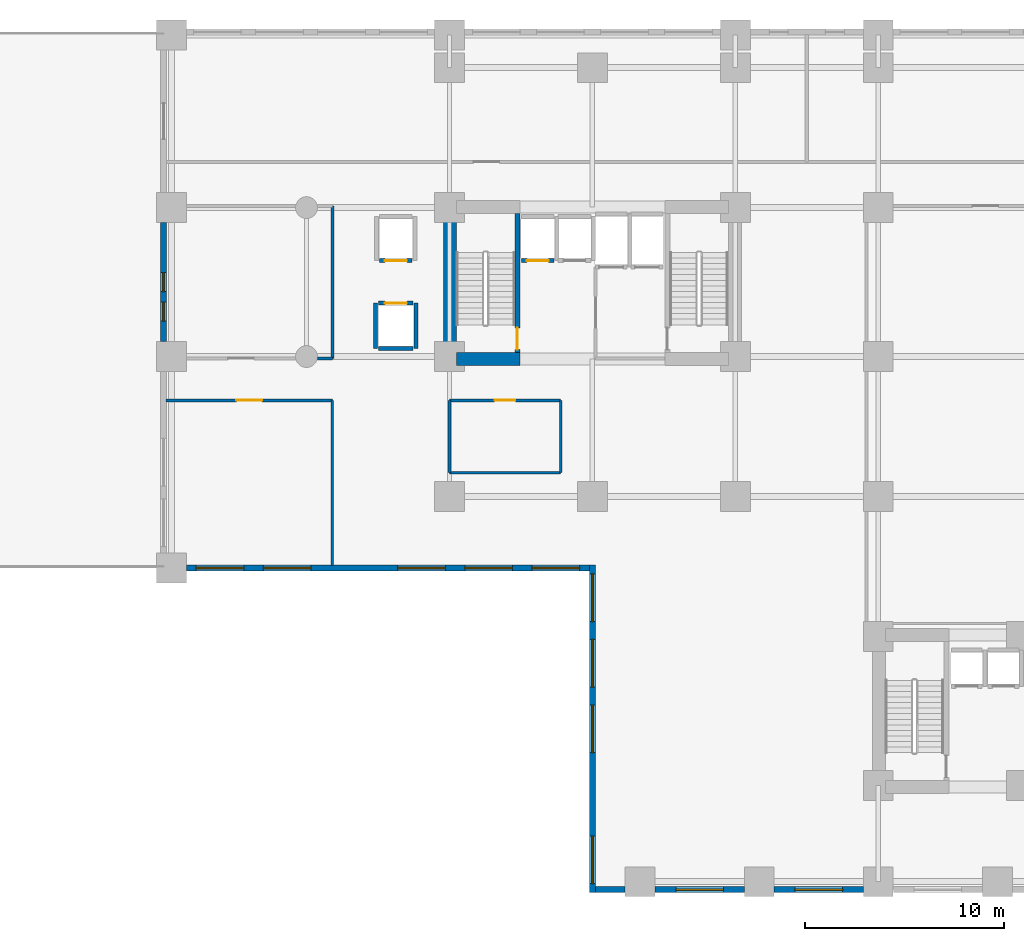
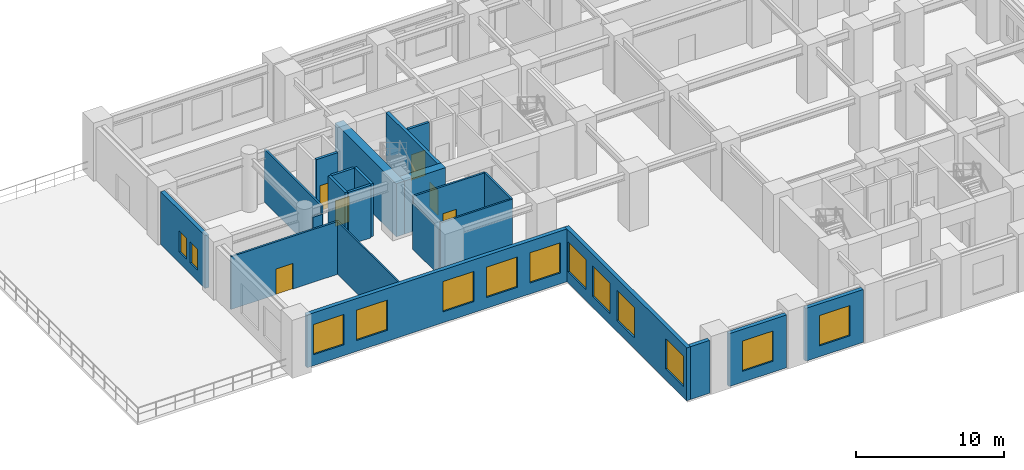
# One storey, part 3 of 10: 23 walls, 13 windows, 6 doors, 19 openings.
"""IFC4 building model written with IfcOpenShell, lengths in metres."""

from ifc_helpers import new_model, si_unit, direction, frame, frame_2d, origin, place, context, subcontext, project, spatial, rectangle, extrude, material, layer, layer_set, type_object, element, fill, save


model = new_model("IFC4")

# Units and contexts
model_context = context("Model", 3, precision=1e-05, world=origin(), true_north=direction((0.0, 1.0)))
body_context = subcontext(model_context, "Body", "Model", "MODEL_VIEW")
ifc_project = project(units=[si_unit("LENGTHUNIT", "METRE"), si_unit("AREAUNIT", "SQUARE_METRE"), si_unit("VOLUMEUNIT", "CUBIC_METRE"), si_unit("PLANEANGLEUNIT", "RADIAN"), si_unit("MASSUNIT", "GRAM", prefix="KILO")], contexts=[model_context])

# Site, building, storey
site_placement = place(None, origin())
site = spatial("IfcSite", under=ifc_project, at=site_placement, CompositionType="ELEMENT")
building_placement = place(site_placement, origin())
building = spatial("IfcBuilding", under=site, at=building_placement, Name="Kaliganga Portal Commons", CompositionType="ELEMENT")
storey_placement = place(building_placement, frame((0.0, 0.0, 15.0)))
storey = spatial("IfcBuildingStorey", under=building, at=storey_placement, Name="L03", CompositionType="ELEMENT", Elevation=15.0)

# Walls
ifc_material_1 = material(Name="Concrete C70/85", Category="concrete")
ifc_layer_1 = layer(ifc_material_1, 0.64990234375)
ifc_layer_set_1 = layer_set([ifc_layer_1], Name="Concrete C70/85")
wall_type_1 = type_object("IfcWallType", Name="WL-CORE-650", PredefinedType="SHEAR", material=ifc_layer_set_1)
wall_1_placement = place(storey_placement, frame((14.425048828125, 28.199951171875, 0.0), z_axis=(0.0, 0.0, 1.0), x_axis=(0.0, 1.0, 0.0)))
element("IfcWall", 1, at=wall_1_placement, inside=storey, type_object=wall_type_1, Name="Core A West Shear Wall L03", PredefinedType="SHEAR", context=body_context, shape_type="SweptSolid", body=[
    extrude(rectangle(XDim=8.300048828125, YDim=0.64990234375, at=frame_2d((4.14990234375, 0.0))), origin(), (0.0, 0.0, 1.0), 4.3798828125),
])
wall_2_placement = place(storey_placement, frame((14.75, 28.52490234375, 0.0), z_axis=(0.0, 0.0, 1.0), x_axis=(1.0, 0.0, 0.0)))
element("IfcWall", 2, at=wall_2_placement, inside=storey, type_object=wall_type_1, Name="Core A S-West Shear Wall L03", PredefinedType="SHEAR", context=body_context, shape_type="SweptSolid", body=[
    extrude(rectangle(XDim=3.199951171875, YDim=0.64990234375, at=frame_2d((1.60009765625, 0.0))), origin(), (0.0, 0.0, 1.0), 4.3798828125),
])
ifc_material_2 = material(Name="Precast concrete C40/50", Category="concrete")
ifc_layer_2 = layer(ifc_material_2, 0.300048828125)
ifc_layer_set_2 = layer_set([ifc_layer_2], Name="Precast concrete C40/50")
wall_type_2 = type_object("IfcWallType", Name="WL-EXT-POD-300", PredefinedType="STANDARD", material=ifc_layer_set_2)
wall_3_placement = place(storey_placement, frame((23.2490234375, 1.800048828125, 0.0), z_axis=(0.0, 0.0, 1.0), x_axis=(-1.0, 0.0, 0.0)))
element("IfcWall", 3, at=wall_3_placement, inside=storey, type_object=wall_type_2, Name="Exterior Envelope Wall L03 P1-E00-S1", PredefinedType="STANDARD", context=body_context, shape_type="SweptSolid", body=[
    extrude(rectangle(XDim=1.494140625, YDim=0.300048828125, at=frame_2d((0.7470703125, 0.0))), origin(), (0.0, 0.0, 1.0), 4.360107421875),
])

# Wall, opening, window
wall_4_placement = place(storey_placement, frame((29.2490234375, 1.800048828125, 0.0), z_axis=(0.0, 0.0, 1.0), x_axis=(-1.0, 0.0, 0.0)))
wall_4 = element("IfcWall", 4, at=wall_4_placement, inside=storey, type_object=wall_type_2, Name="Exterior Envelope Wall L03 P1-E00-S2", PredefinedType="STANDARD", context=body_context, shape_type="SweptSolid", body=[
    extrude(rectangle(XDim=4.498046875, YDim=0.300048828125, at=frame_2d((2.2490234375, 0.0))), origin(), (0.0, 0.0, 1.0), 4.360107421875),
])
opening_1_placement = place(wall_4_placement, frame((1.049072265625, 0.0, 0.89990234375)))
opening_1 = element("IfcOpeningElement", 5, at=opening_1_placement, cuts=wall_4, Name="Opening W-05", PredefinedType="OPENING", context=body_context, shape_type="SweptSolid", body=[
    extrude(rectangle(XDim=2.39990234375, YDim=2.5, at=frame_2d((1.199951171875, 1.25))), frame((0.0, 0.16015625, 0.0), z_axis=(0.0, -1.0, 0.0), x_axis=(1.0, 0.0, 0.0)), (0.0, 0.0, 1.0), 0.320068359375),
])
ifc_material_3 = material(Name="Thermally Broken Aluminium and Low-E Double Glazing", Category="aluminium")
window_type_1 = type_object("IfcWindowType", Name="WIN-POD-2400", PartitioningType="TRIPLE_PANEL_VERTICAL", PredefinedType="WINDOW", material=ifc_material_3)
window_1_placement = place(opening_1_placement, origin())
window_1 = element("IfcWindow", 6, at=window_1_placement, inside=storey, type_object=window_type_1, Name="Facade Window L03-P1E00S2-00", OverallHeight=2.5, OverallWidth=2.39990234375, PartitioningType="SINGLE_PANEL", PredefinedType="WINDOW", context=body_context, shape_type="SweptSolid", body=[
    extrude(rectangle(XDim=2.39990234375, YDim=2.5, at=frame_2d((1.199951171875, 1.25))), frame((0.0, 0.030029296875, 0.0), z_axis=(0.0, -1.0, 0.0), x_axis=(1.0, 0.0, 0.0)), (0.0, 0.0, 1.0), 0.06005859375),
])
fill(opening_1, window_1)

wall_5_placement = place(storey_placement, frame((35.2490234375, 1.800048828125, 0.0), z_axis=(0.0, 0.0, 1.0), x_axis=(-1.0, 0.0, 0.0)))
wall_5 = element("IfcWall", 7, at=wall_5_placement, inside=storey, type_object=wall_type_2, Name="Exterior Envelope Wall L03 P1-E00-S3", PredefinedType="STANDARD", context=body_context, shape_type="SweptSolid", body=[
    extrude(rectangle(XDim=4.498046875, YDim=0.300048828125, at=frame_2d((2.2490234375, 0.0))), origin(), (0.0, 0.0, 1.0), 4.360107421875),
])
opening_2_placement = place(wall_5_placement, frame((1.049072265625, 0.0, 0.89990234375)))
opening_2 = element("IfcOpeningElement", 8, at=opening_2_placement, cuts=wall_5, Name="Opening W-05", PredefinedType="OPENING", context=body_context, shape_type="SweptSolid", body=[
    extrude(rectangle(XDim=2.39990234375, YDim=2.5, at=frame_2d((1.199951171875, 1.25))), frame((0.0, 0.16015625, 0.0), z_axis=(0.0, -1.0, 0.0), x_axis=(1.0, 0.0, 0.0)), (0.0, 0.0, 1.0), 0.320068359375),
])
window_2_placement = place(opening_2_placement, origin())
window_2 = element("IfcWindow", 9, at=window_2_placement, inside=storey, type_object=window_type_1, Name="Facade Window L03-P1E00S3-00", OverallHeight=2.5, OverallWidth=2.39990234375, PartitioningType="SINGLE_PANEL", PredefinedType="WINDOW", context=body_context, shape_type="SweptSolid", body=[
    extrude(rectangle(XDim=2.39990234375, YDim=2.5, at=frame_2d((1.199951171875, 1.25))), frame((0.0, 0.030029296875, 0.0), z_axis=(0.0, -1.0, 0.0), x_axis=(1.0, 0.0, 0.0)), (0.0, 0.0, 1.0), 0.06005859375),
])
fill(opening_2, window_2)

# Wall, openings, windows
wall_6_placement = place(storey_placement, frame((0.0, 29.40087890625, 0.0), z_axis=(0.0, 0.0, 1.0), x_axis=(0.0, 1.0, 0.0)))
wall_6 = element("IfcWall", 10, at=wall_6_placement, inside=storey, type_object=wall_type_2, Name="Exterior Envelope Wall L03 P1-E03-S2", PredefinedType="STANDARD", context=body_context, shape_type="SweptSolid", body=[
    extrude(rectangle(XDim=5.998046875, YDim=0.300048828125, at=frame_2d((2.9990234375, 0.0))), origin(), (0.0, 0.0, 1.0), 4.360107421875),
])
opening_3_placement = place(wall_6_placement, frame((2.52392578125, 0.0, 0.89990234375)))
opening_3 = element("IfcOpeningElement", 11, at=opening_3_placement, cuts=wall_6, Name="Opening W-04", PredefinedType="OPENING", context=body_context, shape_type="SweptSolid", body=[
    extrude(rectangle(XDim=0.949951171875, YDim=1.75, at=frame_2d((0.47509765625, 0.875))), frame((0.0, 0.16015625, 0.0), z_axis=(0.0, -1.0, 0.0), x_axis=(1.0, 0.0, 0.0)), (0.0, 0.0, 1.0), 0.320068359375),
])
opening_4_placement = place(wall_6_placement, frame((1.03662109375, 0.0, 0.89990234375)))
opening_4 = element("IfcOpeningElement", 12, at=opening_4_placement, cuts=wall_6, Name="Opening W-04", PredefinedType="OPENING", context=body_context, shape_type="SweptSolid", body=[
    extrude(rectangle(XDim=0.949951171875, YDim=1.75, at=frame_2d((0.47509765625, 0.875))), frame((0.0, 0.16015625, 0.0), z_axis=(0.0, -1.0, 0.0), x_axis=(1.0, 0.0, 0.0)), (0.0, 0.0, 1.0), 0.320068359375),
])
window_type_2 = type_object("IfcWindowType", Name="WIN-NARROW-950", PartitioningType="SINGLE_PANEL", PredefinedType="WINDOW", material=ifc_material_3)
window_3_placement = place(opening_3_placement, origin())
window_3 = element("IfcWindow", 13, at=window_3_placement, inside=storey, type_object=window_type_2, Name="Facade Window L03-P1E03S2-N0", OverallHeight=1.75, OverallWidth=0.949951171875, PartitioningType="SINGLE_PANEL", PredefinedType="WINDOW", context=body_context, shape_type="SweptSolid", body=[
    extrude(rectangle(XDim=0.949951171875, YDim=1.75, at=frame_2d((0.47509765625, 0.875))), frame((0.0, 0.030029296875, 0.0), z_axis=(0.0, -1.0, 0.0), x_axis=(1.0, 0.0, 0.0)), (0.0, 0.0, 1.0), 0.06005859375),
])
fill(opening_3, window_3)
window_4_placement = place(opening_4_placement, origin())
window_4 = element("IfcWindow", 14, at=window_4_placement, inside=storey, type_object=window_type_2, Name="Facade Window L03-P1E03S2-N1", OverallHeight=1.75, OverallWidth=0.949951171875, PartitioningType="SINGLE_PANEL", PredefinedType="WINDOW", context=body_context, shape_type="SweptSolid", body=[
    extrude(rectangle(XDim=0.949951171875, YDim=1.75, at=frame_2d((0.47509765625, 0.875))), frame((0.0, 0.030029296875, 0.0), z_axis=(0.0, -1.0, 0.0), x_axis=(1.0, 0.0, 0.0)), (0.0, 0.0, 1.0), 0.06005859375),
])
fill(opening_4, window_4)

wall_7_placement = place(storey_placement, frame((21.445068359375, 18.0, 0.0), z_axis=(0.0, 0.0, 1.0), x_axis=(-1.0, 0.0, 0.0)))
wall_7 = element("IfcWall", 15, at=wall_7_placement, inside=storey, type_object=wall_type_2, Name="Exterior Envelope Wall L03 P1-E04-S1", PredefinedType="STANDARD", context=body_context, shape_type="SweptSolid", body=[
    extrude(rectangle(XDim=20.294189453125, YDim=0.300048828125, at=frame_2d((10.14697265625, 0.0))), origin(), (0.0, 0.0, 1.0), 4.360107421875),
])
opening_5_placement = place(wall_7_placement, frame((0.4912109375, 0.0, 0.89990234375)))
opening_5 = element("IfcOpeningElement", 16, at=opening_5_placement, cuts=wall_7, Name="Opening W-05", PredefinedType="OPENING", context=body_context, shape_type="SweptSolid", body=[
    extrude(rectangle(XDim=2.39990234375, YDim=2.5, at=frame_2d((1.199951171875, 1.25))), frame((0.0, 0.16015625, 0.0), z_axis=(0.0, -1.0, 0.0), x_axis=(1.0, 0.0, 0.0)), (0.0, 0.0, 1.0), 0.320068359375),
])
opening_6_placement = place(wall_7_placement, frame((3.87353515625, 0.0, 0.89990234375)))
opening_6 = element("IfcOpeningElement", 17, at=opening_6_placement, cuts=wall_7, Name="Opening W-05", PredefinedType="OPENING", context=body_context, shape_type="SweptSolid", body=[
    extrude(rectangle(XDim=2.39990234375, YDim=2.5, at=frame_2d((1.199951171875, 1.25))), frame((0.0, 0.16015625, 0.0), z_axis=(0.0, -1.0, 0.0), x_axis=(1.0, 0.0, 0.0)), (0.0, 0.0, 1.0), 0.320068359375),
])
opening_7_placement = place(wall_7_placement, frame((7.255859375, 0.0, 0.89990234375)))
opening_7 = element("IfcOpeningElement", 18, at=opening_7_placement, cuts=wall_7, Name="Opening W-05", PredefinedType="OPENING", context=body_context, shape_type="SweptSolid", body=[
    extrude(rectangle(XDim=2.39990234375, YDim=2.5, at=frame_2d((1.199951171875, 1.25))), frame((0.0, 0.16015625, 0.0), z_axis=(0.0, -1.0, 0.0), x_axis=(1.0, 0.0, 0.0)), (0.0, 0.0, 1.0), 0.320068359375),
])
opening_8_placement = place(wall_7_placement, frame((14.0205078125, 0.0, 0.89990234375)))
opening_8 = element("IfcOpeningElement", 19, at=opening_8_placement, cuts=wall_7, Name="Opening W-05", PredefinedType="OPENING", context=body_context, shape_type="SweptSolid", body=[
    extrude(rectangle(XDim=2.39990234375, YDim=2.5, at=frame_2d((1.199951171875, 1.25))), frame((0.0, 0.16015625, 0.0), z_axis=(0.0, -1.0, 0.0), x_axis=(1.0, 0.0, 0.0)), (0.0, 0.0, 1.0), 0.320068359375),
])
opening_9_placement = place(wall_7_placement, frame((17.40283203125, 0.0, 0.89990234375)))
opening_9 = element("IfcOpeningElement", 20, at=opening_9_placement, cuts=wall_7, Name="Opening W-05", PredefinedType="OPENING", context=body_context, shape_type="SweptSolid", body=[
    extrude(rectangle(XDim=2.39990234375, YDim=2.5, at=frame_2d((1.199951171875, 1.25))), frame((0.0, 0.16015625, 0.0), z_axis=(0.0, -1.0, 0.0), x_axis=(1.0, 0.0, 0.0)), (0.0, 0.0, 1.0), 0.320068359375),
])
window_5_placement = place(opening_5_placement, origin())
window_5 = element("IfcWindow", 21, at=window_5_placement, inside=storey, type_object=window_type_1, Name="Facade Window L03-P1E04S1-00", OverallHeight=2.5, OverallWidth=2.39990234375, PartitioningType="SINGLE_PANEL", PredefinedType="WINDOW", context=body_context, shape_type="SweptSolid", body=[
    extrude(rectangle(XDim=2.39990234375, YDim=2.5, at=frame_2d((1.199951171875, 1.25))), frame((0.0, 0.030029296875, 0.0), z_axis=(0.0, -1.0, 0.0), x_axis=(1.0, 0.0, 0.0)), (0.0, 0.0, 1.0), 0.06005859375),
])
fill(opening_5, window_5)
window_6_placement = place(opening_6_placement, origin())
window_6 = element("IfcWindow", 22, at=window_6_placement, inside=storey, type_object=window_type_1, Name="Facade Window L03-P1E04S1-01", OverallHeight=2.5, OverallWidth=2.39990234375, PartitioningType="SINGLE_PANEL", PredefinedType="WINDOW", context=body_context, shape_type="SweptSolid", body=[
    extrude(rectangle(XDim=2.39990234375, YDim=2.5, at=frame_2d((1.199951171875, 1.25))), frame((0.0, 0.030029296875, 0.0), z_axis=(0.0, -1.0, 0.0), x_axis=(1.0, 0.0, 0.0)), (0.0, 0.0, 1.0), 0.06005859375),
])
fill(opening_6, window_6)
window_7_placement = place(opening_7_placement, origin())
window_7 = element("IfcWindow", 23, at=window_7_placement, inside=storey, type_object=window_type_1, Name="Facade Window L03-P1E04S1-02", OverallHeight=2.5, OverallWidth=2.39990234375, PartitioningType="SINGLE_PANEL", PredefinedType="WINDOW", context=body_context, shape_type="SweptSolid", body=[
    extrude(rectangle(XDim=2.39990234375, YDim=2.5, at=frame_2d((1.199951171875, 1.25))), frame((0.0, 0.030029296875, 0.0), z_axis=(0.0, -1.0, 0.0), x_axis=(1.0, 0.0, 0.0)), (0.0, 0.0, 1.0), 0.06005859375),
])
fill(opening_7, window_7)
window_8_placement = place(opening_8_placement, origin())
window_8 = element("IfcWindow", 24, at=window_8_placement, inside=storey, type_object=window_type_1, Name="Facade Window L03-P1E04S1-04", OverallHeight=2.5, OverallWidth=2.39990234375, PartitioningType="SINGLE_PANEL", PredefinedType="WINDOW", context=body_context, shape_type="SweptSolid", body=[
    extrude(rectangle(XDim=2.39990234375, YDim=2.5, at=frame_2d((1.199951171875, 1.25))), frame((0.0, 0.030029296875, 0.0), z_axis=(0.0, -1.0, 0.0), x_axis=(1.0, 0.0, 0.0)), (0.0, 0.0, 1.0), 0.06005859375),
])
fill(opening_8, window_8)
window_9_placement = place(opening_9_placement, origin())
window_9 = element("IfcWindow", 25, at=window_9_placement, inside=storey, type_object=window_type_1, Name="Facade Window L03-P1E04S1-05", OverallHeight=2.5, OverallWidth=2.39990234375, PartitioningType="SINGLE_PANEL", PredefinedType="WINDOW", context=body_context, shape_type="SweptSolid", body=[
    extrude(rectangle(XDim=2.39990234375, YDim=2.5, at=frame_2d((1.199951171875, 1.25))), frame((0.0, 0.030029296875, 0.0), z_axis=(0.0, -1.0, 0.0), x_axis=(1.0, 0.0, 0.0)), (0.0, 0.0, 1.0), 0.06005859375),
])
fill(opening_9, window_9)

wall_8_placement = place(storey_placement, frame((21.60009765625, 1.64990234375, 0.0), z_axis=(0.0, 0.0, 1.0), x_axis=(0.0, 1.0, 0.0)))
wall_8 = element("IfcWall", 26, at=wall_8_placement, inside=storey, type_object=wall_type_2, Name="Exterior Envelope Wall L03 P1-E05-S1", PredefinedType="STANDARD", context=body_context, shape_type="SweptSolid", body=[
    extrude(rectangle(XDim=16.5, YDim=0.300048828125, at=frame_2d((8.25, 0.0))), origin(), (0.0, 0.0, 1.0), 4.360107421875),
])
opening_10_placement = place(wall_8_placement, frame((0.449951171875, 0.0, 0.89990234375)))
opening_10 = element("IfcOpeningElement", 27, at=opening_10_placement, cuts=wall_8, Name="Opening W-05", PredefinedType="OPENING", context=body_context, shape_type="SweptSolid", body=[
    extrude(rectangle(XDim=2.39990234375, YDim=2.5, at=frame_2d((1.199951171875, 1.25))), frame((0.0, 0.16015625, 0.0), z_axis=(0.0, -1.0, 0.0), x_axis=(1.0, 0.0, 0.0)), (0.0, 0.0, 1.0), 0.320068359375),
])
opening_11_placement = place(wall_8_placement, frame((7.050048828125, 0.0, 0.89990234375)))
opening_11 = element("IfcOpeningElement", 28, at=opening_11_placement, cuts=wall_8, Name="Opening W-05", PredefinedType="OPENING", context=body_context, shape_type="SweptSolid", body=[
    extrude(rectangle(XDim=2.39990234375, YDim=2.5, at=frame_2d((1.199951171875, 1.25))), frame((0.0, 0.16015625, 0.0), z_axis=(0.0, -1.0, 0.0), x_axis=(1.0, 0.0, 0.0)), (0.0, 0.0, 1.0), 0.320068359375),
])
opening_12_placement = place(wall_8_placement, frame((10.35009765625, 0.0, 0.89990234375)))
opening_12 = element("IfcOpeningElement", 29, at=opening_12_placement, cuts=wall_8, Name="Opening W-05", PredefinedType="OPENING", context=body_context, shape_type="SweptSolid", body=[
    extrude(rectangle(XDim=2.39990234375, YDim=2.5, at=frame_2d((1.199951171875, 1.25))), frame((0.0, 0.16015625, 0.0), z_axis=(0.0, -1.0, 0.0), x_axis=(1.0, 0.0, 0.0)), (0.0, 0.0, 1.0), 0.320068359375),
])
opening_13_placement = place(wall_8_placement, frame((13.64990234375, 0.0, 0.89990234375)))
opening_13 = element("IfcOpeningElement", 30, at=opening_13_placement, cuts=wall_8, Name="Opening W-05", PredefinedType="OPENING", context=body_context, shape_type="SweptSolid", body=[
    extrude(rectangle(XDim=2.39990234375, YDim=2.5, at=frame_2d((1.199951171875, 1.25))), frame((0.0, 0.16015625, 0.0), z_axis=(0.0, -1.0, 0.0), x_axis=(1.0, 0.0, 0.0)), (0.0, 0.0, 1.0), 0.320068359375),
])
window_10_placement = place(opening_10_placement, origin())
window_10 = element("IfcWindow", 31, at=window_10_placement, inside=storey, type_object=window_type_1, Name="Facade Window L03-P1E05S1-00", OverallHeight=2.5, OverallWidth=2.39990234375, PartitioningType="SINGLE_PANEL", PredefinedType="WINDOW", context=body_context, shape_type="SweptSolid", body=[
    extrude(rectangle(XDim=2.39990234375, YDim=2.5, at=frame_2d((1.199951171875, 1.25))), frame((0.0, 0.030029296875, 0.0), z_axis=(0.0, -1.0, 0.0), x_axis=(1.0, 0.0, 0.0)), (0.0, 0.0, 1.0), 0.06005859375),
])
fill(opening_10, window_10)
window_11_placement = place(opening_11_placement, origin())
window_11 = element("IfcWindow", 32, at=window_11_placement, inside=storey, type_object=window_type_1, Name="Facade Window L03-P1E05S1-02", OverallHeight=2.5, OverallWidth=2.39990234375, PartitioningType="SINGLE_PANEL", PredefinedType="WINDOW", context=body_context, shape_type="SweptSolid", body=[
    extrude(rectangle(XDim=2.39990234375, YDim=2.5, at=frame_2d((1.199951171875, 1.25))), frame((0.0, 0.030029296875, 0.0), z_axis=(0.0, -1.0, 0.0), x_axis=(1.0, 0.0, 0.0)), (0.0, 0.0, 1.0), 0.06005859375),
])
fill(opening_11, window_11)
window_12_placement = place(opening_12_placement, origin())
window_12 = element("IfcWindow", 33, at=window_12_placement, inside=storey, type_object=window_type_1, Name="Facade Window L03-P1E05S1-03", OverallHeight=2.5, OverallWidth=2.39990234375, PartitioningType="SINGLE_PANEL", PredefinedType="WINDOW", context=body_context, shape_type="SweptSolid", body=[
    extrude(rectangle(XDim=2.39990234375, YDim=2.5, at=frame_2d((1.199951171875, 1.25))), frame((0.0, 0.030029296875, 0.0), z_axis=(0.0, -1.0, 0.0), x_axis=(1.0, 0.0, 0.0)), (0.0, 0.0, 1.0), 0.06005859375),
])
fill(opening_12, window_12)
window_13_placement = place(opening_13_placement, origin())
window_13 = element("IfcWindow", 34, at=window_13_placement, inside=storey, type_object=window_type_1, Name="Facade Window L03-P1E05S1-04", OverallHeight=2.5, OverallWidth=2.39990234375, PartitioningType="SINGLE_PANEL", PredefinedType="WINDOW", context=body_context, shape_type="SweptSolid", body=[
    extrude(rectangle(XDim=2.39990234375, YDim=2.5, at=frame_2d((1.199951171875, 1.25))), frame((0.0, 0.030029296875, 0.0), z_axis=(0.0, -1.0, 0.0), x_axis=(1.0, 0.0, 0.0)), (0.0, 0.0, 1.0), 0.06005859375),
])
fill(opening_13, window_13)

# Wall, opening, door
ifc_material_4 = material(Name="Fire-Rated Gypsum Board on Steel Stud", Category="steel")
ifc_layer_3 = layer(ifc_material_4, 0.14990234375)
ifc_layer_set_3 = layer_set([ifc_layer_3], Name="Fire-Rated Gypsum Board on Steel Stud")
wall_type_3 = type_object("IfcWallType", Name="WL-PART-CORR-150", PredefinedType="PARTITIONING", material=ifc_layer_set_3)
wall_9_placement = place(storey_placement, frame((0.132080078125, 26.43994140625, 0.0), z_axis=(0.0, 0.0, 1.0), x_axis=(1.0, 0.0, 0.0)))
wall_9 = element("IfcWall", 35, at=wall_9_placement, inside=storey, type_object=wall_type_3, Name="Interior Partition L03-010", PredefinedType="PARTITIONING", context=body_context, shape_type="SweptSolid", body=[
    extrude(rectangle(XDim=8.367919921875, YDim=0.14990234375, at=frame_2d((4.18408203125, 0.0))), origin(), (0.0, 0.0, 1.0), 4.360107421875),
])
opening_14_placement = place(wall_9_placement, frame((3.533935546875, 0.0, 0.0)))
opening_14 = element("IfcOpeningElement", 36, at=opening_14_placement, cuts=wall_9, Name="Opening RD-03", PredefinedType="OPENING", context=body_context, shape_type="SweptSolid", body=[
    extrude(rectangle(XDim=1.300048828125, YDim=2.1201171875, at=frame_2d((0.64990234375, 1.06005859375))), frame((0.0, 0.0849609375, 0.0), z_axis=(0.0, -1.0, 0.0), x_axis=(1.0, 0.0, 0.0)), (0.0, 0.0, 1.0), 0.169921875),
])
ifc_material_5 = material(Name="Glazed Timber Seminar Vision Door", Category="wood")
door_type_1 = type_object("IfcDoorType", Name="DR-STUDY-1300", OperationType="DOUBLE_DOOR_SINGLE_SWING", PredefinedType="DOOR", material=ifc_material_5)
door_1_placement = place(opening_14_placement, origin())
door_1 = element("IfcDoor", 37, at=door_1_placement, inside=storey, type_object=door_type_1, Name="Interior Door L03-CLINIC", OperationType="DOUBLE_DOOR_SINGLE_SWING", OverallHeight=2.1201171875, OverallWidth=1.300048828125, PredefinedType="DOOR", context=body_context, shape_type="SweptSolid", body=[
    extrude(rectangle(XDim=1.300048828125, YDim=2.1201171875, at=frame_2d((0.64990234375, 1.06005859375))), frame((0.0, 0.02490234375, 0.0), z_axis=(0.0, -1.0, 0.0), x_axis=(1.0, 0.0, 0.0)), (0.0, 0.0, 1.0), 0.050048828125),
])
fill(opening_14, door_1)

# Walls
wall_10_placement = place(storey_placement, frame((7.75, 28.56005859375, 0.0), z_axis=(0.0, 0.0, 1.0), x_axis=(1.0, 0.0, 0.0)))
element("IfcWall", 38, at=wall_10_placement, inside=storey, type_object=wall_type_3, Name="Interior Partition L03-012", PredefinedType="PARTITIONING", context=body_context, shape_type="SweptSolid", body=[
    extrude(rectangle(XDim=0.75, YDim=0.14990234375, at=frame_2d((0.375, 0.0))), origin(), (0.0, 0.0, 1.0), 3.659912109375),
])
wall_11_placement = place(storey_placement, frame((8.5, 28.56005859375, 0.0), z_axis=(0.0, 0.0, 1.0), x_axis=(0.0, 1.0, 0.0)))
element("IfcWall", 39, at=wall_11_placement, inside=storey, type_object=wall_type_3, Name="Interior Partition L03-015", PredefinedType="PARTITIONING", context=body_context, shape_type="SweptSolid", body=[
    extrude(rectangle(XDim=7.679931640625, YDim=0.14990234375, at=frame_2d((3.83984375, 0.0))), origin(), (0.0, 0.0, 1.0), 4.360107421875),
])

# Wall, opening, door
wall_12_placement = place(storey_placement, frame((14.39990234375, 26.43994140625, 0.0), z_axis=(0.0, 0.0, 1.0), x_axis=(1.0, 0.0, 0.0)))
wall_12 = element("IfcWall", 40, at=wall_12_placement, inside=storey, type_object=wall_type_3, Name="Interior Partition L03-016", PredefinedType="PARTITIONING", context=body_context, shape_type="SweptSolid", body=[
    extrude(rectangle(XDim=5.60009765625, YDim=0.14990234375, at=frame_2d((2.800048828125, 0.0))), origin(), (0.0, 0.0, 1.0), 4.360107421875),
])
opening_15_placement = place(wall_12_placement, frame((2.27490234375, 0.0, 0.0)))
opening_15 = element("IfcOpeningElement", 41, at=opening_15_placement, cuts=wall_12, Name="Opening UD-02", PredefinedType="OPENING", context=body_context, shape_type="SweptSolid", body=[
    extrude(rectangle(XDim=1.050048828125, YDim=2.1201171875, at=frame_2d((0.52490234375, 1.06005859375))), frame((0.0, 0.0849609375, 0.0), z_axis=(0.0, -1.0, 0.0), x_axis=(1.0, 0.0, 0.0)), (0.0, 0.0, 1.0), 0.169921875),
])
ifc_material_6 = material(Name="Accessible Wide-Leaf Acoustic Fire Door", Category="wood")
door_type_2 = type_object("IfcDoorType", Name="DR-ACC-1050", OperationType="NOTDEFINED", PredefinedType="DOOR", material=ifc_material_6)
door_2_placement = place(opening_15_placement, origin())
door_2 = element("IfcDoor", 42, at=door_2_placement, inside=storey, type_object=door_type_2, Name="Interior Door L03-L03WC", OperationType="SINGLE_SWING_LEFT", OverallHeight=2.1201171875, OverallWidth=1.050048828125, PredefinedType="DOOR", context=body_context, shape_type="SweptSolid", body=[
    extrude(rectangle(XDim=1.050048828125, YDim=2.1201171875, at=frame_2d((0.52490234375, 1.06005859375))), frame((0.0, 0.02490234375, 0.0), z_axis=(0.0, -1.0, 0.0), x_axis=(1.0, 0.0, 0.0)), (0.0, 0.0, 1.0), 0.050048828125),
])
fill(opening_15, door_2)

# Walls
ifc_material_7 = material(Name="Moisture-Resistant Gypsum Partition", Category="gypsum")
ifc_layer_4 = layer(ifc_material_7, 0.114990234375)
ifc_layer_set_4 = layer_set([ifc_layer_4], Name="Moisture-Resistant Gypsum Partition")
wall_type_4 = type_object("IfcWallType", Name="WL-PART-ROOM-115", PredefinedType="PARTITIONING", material=ifc_layer_set_4)
wall_13_placement = place(storey_placement, frame((8.5, 18.132080078125, 0.0), z_axis=(0.0, 0.0, 1.0), x_axis=(0.0, 1.0, 0.0)))
element("IfcWall", 43, at=wall_13_placement, inside=storey, type_object=wall_type_4, Name="Interior Partition L03-021", PredefinedType="PARTITIONING", context=body_context, shape_type="SweptSolid", body=[
    extrude(rectangle(XDim=8.307861328125, YDim=0.114990234375, at=frame_2d((4.15380859375, 0.0))), origin(), (0.0, 0.0, 1.0), 4.360107421875),
])
ifc_material_8 = material(Name="Cement-Board Wet-Room Partition", Category="gypsum")
ifc_layer_5 = layer(ifc_material_8, 0.135009765625)
ifc_layer_set_5 = layer_set([ifc_layer_5], Name="Cement-Board Wet-Room Partition")
wall_type_5 = type_object("IfcWallType", Name="WL-PART-WET-135", PredefinedType="PARTITIONING", material=ifc_layer_set_5)
wall_14_placement = place(storey_placement, frame((14.39990234375, 22.800048828125, 0.0), z_axis=(0.0, 0.0, 1.0), x_axis=(1.0, 0.0, 0.0)))
element("IfcWall", 44, at=wall_14_placement, inside=storey, type_object=wall_type_5, Name="Interior Partition L03-023", PredefinedType="PARTITIONING", context=body_context, shape_type="SweptSolid", body=[
    extrude(rectangle(XDim=5.60009765625, YDim=0.135009765625, at=frame_2d((2.800048828125, 0.0))), origin(), (0.0, 0.0, 1.0), 4.360107421875),
])
wall_15_placement = place(storey_placement, frame((14.39990234375, 22.800048828125, 0.0), z_axis=(0.0, 0.0, 1.0), x_axis=(0.0, 1.0, 0.0)))
element("IfcWall", 45, at=wall_15_placement, inside=storey, type_object=wall_type_5, Name="Interior Partition L03-025", PredefinedType="PARTITIONING", context=body_context, shape_type="SweptSolid", body=[
    extrude(rectangle(XDim=3.639892578125, YDim=0.135009765625, at=frame_2d((1.81982421875, 0.0))), origin(), (0.0, 0.0, 1.0), 3.760009765625),
])
wall_16_placement = place(storey_placement, frame((20.0, 22.800048828125, 0.0), z_axis=(0.0, 0.0, 1.0), x_axis=(0.0, 1.0, 0.0)))
element("IfcWall", 46, at=wall_16_placement, inside=storey, type_object=wall_type_5, Name="Interior Partition L03-026", PredefinedType="PARTITIONING", context=body_context, shape_type="SweptSolid", body=[
    extrude(rectangle(XDim=3.639892578125, YDim=0.135009765625, at=frame_2d((1.81982421875, 0.0))), origin(), (0.0, 0.0, 1.0), 4.360107421875),
])

# Wall, opening, door
ifc_material_9 = material(Name="Fire-Rated Shaftwall Masonry Assembly", Category="masonry")
ifc_layer_6 = layer(ifc_material_9, 0.199951171875)
ifc_layer_set_6 = layer_set([ifc_layer_6], Name="Fire-Rated Shaftwall Masonry Assembly")
wall_type_6 = type_object("IfcWallType", Name="WL-SHAFT-200", PredefinedType="PARTITIONING", material=ifc_layer_set_6)
wall_17_placement = place(storey_placement, frame((18.02490234375, 33.485107421875, 0.0), z_axis=(0.0, 0.0, 1.0), x_axis=(1.0, 0.0, 0.0)))
wall_17 = element("IfcWall", 47, at=wall_17_placement, inside=storey, type_object=wall_type_6, Name="Lift PL-A1 Hoistway Shaft Wall L03-S", PredefinedType="PARTITIONING", context=body_context, shape_type="SweptSolid", body=[
    extrude(rectangle(XDim=1.650146484375, YDim=0.199951171875, at=frame_2d((0.8251953125, 0.0))), origin(), (0.0, 0.0, 1.0), 4.360107421875),
])
opening_16_placement = place(wall_17_placement, frame((0.27490234375, 0.0, 0.0)))
opening_16 = element("IfcOpeningElement", 48, at=opening_16_placement, cuts=wall_17, Name="Opening LD-01", PredefinedType="OPENING", context=body_context, shape_type="SweptSolid", body=[
    extrude(rectangle(XDim=1.10009765625, YDim=2.1201171875, at=frame_2d((0.550048828125, 1.06005859375))), frame((0.0, 0.10986328125, 0.0), z_axis=(0.0, -1.0, 0.0), x_axis=(1.0, 0.0, 0.0)), (0.0, 0.0, 1.0), 0.219970703125),
])
ifc_material_10 = material(Name="Brushed Stainless Steel 316 Lift Landing Door", Category="steel")
door_type_3 = type_object("IfcDoorType", Name="DR-LIFT-1100", OperationType="SLIDING_TO_LEFT", PredefinedType="DOOR", material=ifc_material_10)
door_3_placement = place(opening_16_placement, origin())
door_3 = element("IfcDoor", 49, at=door_3_placement, inside=storey, type_object=door_type_3, Name="Lift PL-A1 Sliding Landing Door L03", OperationType="SLIDING_TO_LEFT", OverallHeight=2.1201171875, OverallWidth=1.10009765625, PredefinedType="DOOR", context=body_context, shape_type="SweptSolid", body=[
    extrude(rectangle(XDim=1.10009765625, YDim=2.1201171875, at=frame_2d((0.550048828125, 1.06005859375))), frame((0.0, 0.02490234375, 0.0), z_axis=(0.0, -1.0, 0.0), x_axis=(1.0, 0.0, 0.0)), (0.0, 0.0, 1.0), 0.050048828125),
])
fill(opening_16, door_3)

# Wall
wall_18_placement = place(storey_placement, frame((10.824951171875, 29.06005859375, 0.0), z_axis=(0.0, 0.0, 1.0), x_axis=(1.0, 0.0, 0.0)))
element("IfcWall", 50, at=wall_18_placement, inside=storey, type_object=wall_type_6, Name="Lift SH-1 Hoistway Shaft Wall L03-S", PredefinedType="PARTITIONING", context=body_context, shape_type="SweptSolid", body=[
    extrude(rectangle(XDim=1.75, YDim=0.199951171875, at=frame_2d((0.875, 0.0))), origin(), (0.0, 0.0, 1.0), 4.360107421875),
])

# Wall, opening, door
wall_19_placement = place(storey_placement, frame((10.824951171875, 31.340087890625, 0.0), z_axis=(0.0, 0.0, 1.0), x_axis=(1.0, 0.0, 0.0)))
wall_19 = element("IfcWall", 51, at=wall_19_placement, inside=storey, type_object=wall_type_6, Name="Lift SH-1 Hoistway Shaft Wall L03-N", PredefinedType="PARTITIONING", context=body_context, shape_type="SweptSolid", body=[
    extrude(rectangle(XDim=1.75, YDim=0.199951171875, at=frame_2d((0.875, 0.0))), origin(), (0.0, 0.0, 1.0), 4.360107421875),
])
opening_17_placement = place(wall_19_placement, frame((0.324951171875, 0.0, 0.0)))
opening_17 = element("IfcOpeningElement", 52, at=opening_17_placement, cuts=wall_19, Name="Opening LD-01", PredefinedType="OPENING", context=body_context, shape_type="SweptSolid", body=[
    extrude(rectangle(XDim=1.10009765625, YDim=2.1201171875, at=frame_2d((0.550048828125, 1.06005859375))), frame((0.0, 0.10986328125, 0.0), z_axis=(0.0, -1.0, 0.0), x_axis=(1.0, 0.0, 0.0)), (0.0, 0.0, 1.0), 0.219970703125),
])
door_4_placement = place(opening_17_placement, origin())
door_4 = element("IfcDoor", 53, at=door_4_placement, inside=storey, type_object=door_type_3, Name="Lift SH-1 Sliding Landing Door L03", OperationType="SLIDING_TO_LEFT", OverallHeight=2.1201171875, OverallWidth=1.10009765625, PredefinedType="DOOR", context=body_context, shape_type="SweptSolid", body=[
    extrude(rectangle(XDim=1.10009765625, YDim=2.1201171875, at=frame_2d((0.550048828125, 1.06005859375))), frame((0.0, 0.02490234375, 0.0), z_axis=(0.0, -1.0, 0.0), x_axis=(1.0, 0.0, 0.0)), (0.0, 0.0, 1.0), 0.050048828125),
])
fill(opening_17, door_4)

# Walls
for number, where, z_axis, x_axis, name in (
    (54, (10.68505859375, 29.06005859375, 0.0), (0.0, 0.0, 1.0), (0.0, 1.0, 0.0), "Lift SH-1 Hoistway Shaft Wall L03-W"),
    (55, (12.715087890625, 29.06005859375, 0.0), (0.0, 0.0, 1.0), (0.0, 1.0, 0.0), "Lift SH-1 Hoistway Shaft Wall L03-E"),
):
    element("IfcWall", number, at=place(storey_placement, frame(where, z_axis=z_axis, x_axis=x_axis)), inside=storey, type_object=wall_type_6, Name=name, PredefinedType="PARTITIONING", context=body_context, shape_type="SweptSolid", body=[
        extrude(rectangle(XDim=2.280029296875, YDim=0.199951171875, at=frame_2d((1.14013671875, 0.0))), origin(), (0.0, 0.0, 1.0), 4.360107421875),
    ])

# Wall, opening, door
wall_20_placement = place(storey_placement, frame((10.875, 33.485107421875, 0.0), z_axis=(0.0, 0.0, 1.0), x_axis=(1.0, 0.0, 0.0)))
wall_20 = element("IfcWall", 56, at=wall_20_placement, inside=storey, type_object=wall_type_6, Name="Lift PL-OBS Hoistway Shaft Wall L03-S", PredefinedType="PARTITIONING", context=body_context, shape_type="SweptSolid", body=[
    extrude(rectangle(XDim=1.64990234375, YDim=0.199951171875, at=frame_2d((0.824951171875, 0.0))), origin(), (0.0, 0.0, 1.0), 4.360107421875),
])
opening_18_placement = place(wall_20_placement, frame((0.27490234375, 0.0, 0.0)))
opening_18 = element("IfcOpeningElement", 57, at=opening_18_placement, cuts=wall_20, Name="Opening LD-01", PredefinedType="OPENING", context=body_context, shape_type="SweptSolid", body=[
    extrude(rectangle(XDim=1.10009765625, YDim=2.1201171875, at=frame_2d((0.550048828125, 1.06005859375))), frame((0.0, 0.10986328125, 0.0), z_axis=(0.0, -1.0, 0.0), x_axis=(1.0, 0.0, 0.0)), (0.0, 0.0, 1.0), 0.219970703125),
])
door_5_placement = place(opening_18_placement, origin())
door_5 = element("IfcDoor", 58, at=door_5_placement, inside=storey, type_object=door_type_3, Name="Lift PL-OBS Sliding Landing Door L03", OperationType="SLIDING_TO_LEFT", OverallHeight=2.1201171875, OverallWidth=1.10009765625, PredefinedType="DOOR", context=body_context, shape_type="SweptSolid", body=[
    extrude(rectangle(XDim=1.10009765625, YDim=2.1201171875, at=frame_2d((0.550048828125, 1.06005859375))), frame((0.0, 0.02490234375, 0.0), z_axis=(0.0, -1.0, 0.0), x_axis=(1.0, 0.0, 0.0)), (0.0, 0.0, 1.0), 0.050048828125),
])
fill(opening_18, door_5)

ifc_material_11 = material(Name="Concrete C50/60", Category="concrete")
ifc_layer_7 = layer(ifc_material_11, 0.25)
ifc_layer_set_7 = layer_set([ifc_layer_7], Name="Concrete C50/60")
wall_type_7 = type_object("IfcWallType", Name="WL-STAIR-250", PredefinedType="SHEAR", material=ifc_layer_set_7)
wall_21_placement = place(storey_placement, frame((17.824951171875, 28.85009765625, 0.0), z_axis=(0.0, 0.0, 1.0), x_axis=(0.0, 1.0, 0.0)))
wall_21 = element("IfcWall", 59, at=wall_21_placement, inside=storey, type_object=wall_type_7, Name="Stair A1 Enclosure Shear Wall L03", PredefinedType="SHEAR", context=body_context, shape_type="SweptSolid", body=[
    extrude(rectangle(XDim=7.0, YDim=0.25, at=frame_2d((3.5, 0.0))), origin(), (0.0, 0.0, 1.0), 4.3798828125),
])
opening_19_placement = place(wall_21_placement, frame((0.14990234375, 0.0, 0.0)))
opening_19 = element("IfcOpeningElement", 60, at=opening_19_placement, cuts=wall_21, Name="Opening SD-01", PredefinedType="OPENING", context=body_context, shape_type="SweptSolid", body=[
    extrude(rectangle(XDim=1.10009765625, YDim=2.080078125, at=frame_2d((0.550048828125, 1.0400390625))), frame((0.0, 0.135009765625, 0.0), z_axis=(0.0, -1.0, 0.0), x_axis=(1.0, 0.0, 0.0)), (0.0, 0.0, 1.0), 0.27001953125),
])
ifc_material_12 = material(Name="Galvanized Steel Fire Door Leaf and Frame", Category="steel")
door_type_4 = type_object("IfcDoorType", Name="DR-STAIR-1100", OperationType="NOTDEFINED", PredefinedType="DOOR", material=ifc_material_12)
door_6_placement = place(opening_19_placement, origin())
door_6 = element("IfcDoor", 61, at=door_6_placement, inside=storey, type_object=door_type_4, Name="Protected Stair ST-A1 Fire Door L03", OperationType="SINGLE_SWING_LEFT", OverallHeight=2.080078125, OverallWidth=1.10009765625, PredefinedType="DOOR", context=body_context, shape_type="SweptSolid", body=[
    extrude(rectangle(XDim=1.10009765625, YDim=2.080078125, at=frame_2d((0.550048828125, 1.0400390625))), frame((0.0, 0.02490234375, 0.0), z_axis=(0.0, -1.0, 0.0), x_axis=(1.0, 0.0, 0.0)), (0.0, 0.0, 1.0), 0.050048828125),
])
fill(opening_19, door_6)

save(model, "model.ifc")
